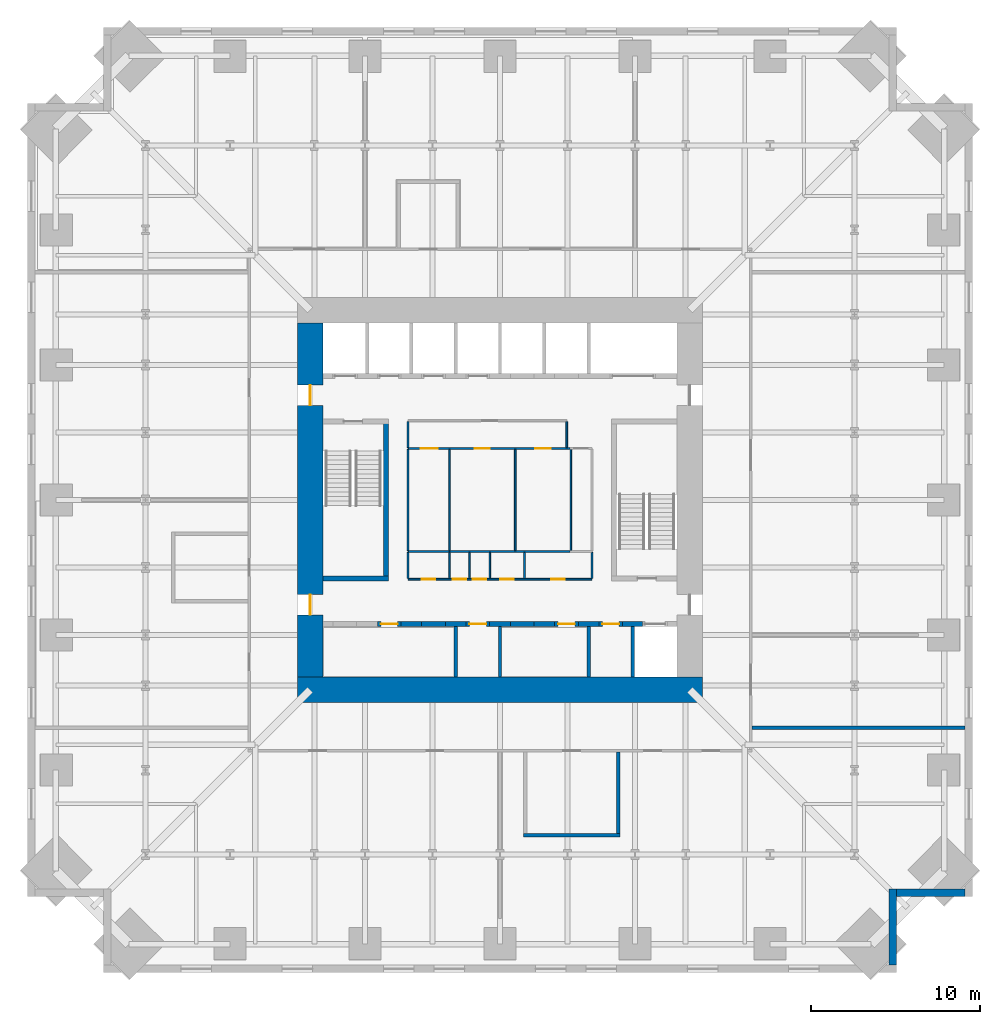
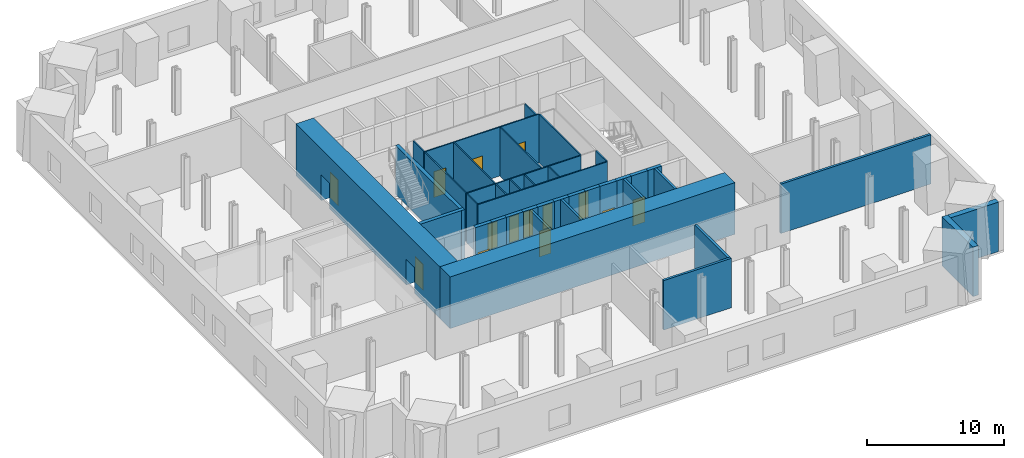
# One storey, part 4 of 8: 40 walls, 14 doors, 14 openings.
"""IFC4 building model written with IfcOpenShell, lengths in metres."""

from ifc_helpers import new_model, si_unit, direction, frame, frame_2d, origin, place, context, subcontext, project, spatial, rectangle, extrude, material, layer, layer_set, type_object, element, fill, save


model = new_model("IFC4")

# Units and contexts
model_context = context("Model", 3, precision=1e-05, world=origin(), true_north=direction((0.0, 1.0)))
body_context = subcontext(model_context, "Body", "Model", "MODEL_VIEW")
ifc_project = project(units=[si_unit("LENGTHUNIT", "METRE"), si_unit("AREAUNIT", "SQUARE_METRE"), si_unit("VOLUMEUNIT", "CUBIC_METRE"), si_unit("PLANEANGLEUNIT", "RADIAN"), si_unit("MASSUNIT", "GRAM", prefix="KILO")], contexts=[model_context])

# Site, building, storey
site_placement = place(None, origin())
site = spatial("IfcSite", under=ifc_project, at=site_placement, CompositionType="ELEMENT")
building_placement = place(site_placement, origin())
building = spatial("IfcBuilding", under=site, at=building_placement, Name="Peilmerk Tower", CompositionType="ELEMENT")
storey_placement = place(building_placement, frame((0.0, 0.0, 113.60009765625)))
storey = spatial("IfcBuildingStorey", under=building, at=storey_placement, Name="L22", CompositionType="ELEMENT", Elevation=113.60009765625)

# Walls
ifc_material_1 = material(Name="Precast concrete C45/55, board-marked finish", Category="concrete")
ifc_layer_1 = layer(ifc_material_1, 0.449951171875)
ifc_layer_set_1 = layer_set([ifc_layer_1], Name="Precast concrete C45/55, board-marked finish")
wall_type_1 = type_object("IfcWallType", Name="EW1 450 precast concrete facade wall, board-marked", PredefinedType="SOLIDWALL", material=ifc_layer_set_1)
wall_1_placement = place(storey_placement, frame((23.27490234375, -23.050048828125, 0.0), z_axis=(0.0, 0.0, 1.0), x_axis=(0.0, -1.0, 0.0)))
element("IfcWall", 1, at=wall_1_placement, inside=storey, type_object=wall_type_1, Name="Facade wall SEA L22", PredefinedType="SOLIDWALL", context=body_context, shape_type="SweptSolid", body=[
    extrude(rectangle(XDim=4.5, YDim=0.449951171875, at=frame_2d((2.25, 0.0))), origin(), (0.0, 0.0, 1.0), 4.39990234375),
])
wall_2_placement = place(storey_placement, frame((23.5, -23.27490234375, 0.0), z_axis=(0.0, 0.0, 1.0), x_axis=(1.0, 0.0, 0.0)))
element("IfcWall", 2, at=wall_2_placement, inside=storey, type_object=wall_type_1, Name="Facade wall SEB L22", PredefinedType="SOLIDWALL", context=body_context, shape_type="SweptSolid", body=[
    extrude(rectangle(XDim=4.050048828125, YDim=0.449951171875, at=frame_2d((2.02490234375, 0.0))), origin(), (0.0, 0.0, 1.0), 4.39990234375),
])
ifc_material_2 = material(Name="Calcium silicate block", Category="masonry")
ifc_layer_2 = layer(ifc_material_2, 0.199951171875)
ifc_layer_set_2 = layer_set([ifc_layer_2], Name="Calcium silicate block")
wall_type_2 = type_object("IfcWallType", Name="IW2 200 room separating wall, EI 120", PredefinedType="PARTITIONING", material=ifc_layer_set_2)
wall_3_placement = place(storey_placement, frame((27.550048828125, -13.5, 0.0), z_axis=(0.0, 0.0, 1.0), x_axis=(-1.0, 0.0, 0.0)))
element("IfcWall", 3, at=wall_3_placement, inside=storey, type_object=wall_type_2, Name="Room separating wall SE L22", PredefinedType="PARTITIONING", context=body_context, shape_type="SweptSolid", body=[
    extrude(rectangle(XDim=12.625, YDim=0.199951171875, at=frame_2d((6.3125, 0.0))), origin(), (0.0, 0.0, 1.0), 4.39990234375),
])
wall_4_placement = place(storey_placement, frame((1.39990234375, -19.85009765625, 0.0), z_axis=(0.0, 0.0, 1.0), x_axis=(1.0, 0.0, 0.0)))
element("IfcWall", 4, at=wall_4_placement, inside=storey, type_object=wall_type_2, Name="Room separating wall Operations office L22", PredefinedType="PARTITIONING", context=body_context, shape_type="SweptSolid", body=[
    extrude(rectangle(XDim=5.7001953125, YDim=0.199951171875, at=frame_2d((2.85009765625, 0.0))), origin(), (0.0, 0.0, 1.0), 4.39990234375),
])
wall_5_placement = place(storey_placement, frame((7.0, -14.925048828125, 0.0), z_axis=(0.0, 0.0, 1.0), x_axis=(0.0, -1.0, 0.0)))
element("IfcWall", 5, at=wall_5_placement, inside=storey, type_object=wall_type_2, Name="Room separating wall Operations office L22", PredefinedType="PARTITIONING", context=body_context, shape_type="SweptSolid", body=[
    extrude(rectangle(XDim=4.824951171875, YDim=0.199951171875, at=frame_2d((2.41259765625, 0.0))), origin(), (0.0, 0.0, 1.0), 4.39990234375),
])
ifc_material_3 = material(Name="Concrete C35/45", Category="concrete")
ifc_layer_3 = layer(ifc_material_3, 0.300048828125)
ifc_layer_set_3 = layer_set([ifc_layer_3], Name="Concrete C35/45")
wall_type_3 = type_object("IfcWallType", Name="IW3 300 concrete stair enclosure wall, EI 120", PredefinedType="SOLIDWALL", material=ifc_layer_set_3)
wall_6_placement = place(storey_placement, frame((-6.75, -4.800048828125, 0.0), z_axis=(0.0, 0.0, 1.0), x_axis=(0.0, 1.0, 0.0)))
element("IfcWall", 6, at=wall_6_placement, inside=storey, type_object=wall_type_3, Name="Stair 1 enclosure L22", PredefinedType="SOLIDWALL", context=body_context, shape_type="SweptSolid", body=[
    extrude(rectangle(XDim=9.60009765625, YDim=0.300048828125, at=frame_2d((4.800048828125, 0.0))), origin(), (0.0, 0.0, 1.0), 4.349853515625),
])
wall_7_placement = place(storey_placement, frame((-6.60009765625, -4.64990234375, 0.0), z_axis=(0.0, 0.0, 1.0), x_axis=(-1.0, 0.0, 0.0)))
element("IfcWall", 7, at=wall_7_placement, inside=storey, type_object=wall_type_3, Name="Stair 1 enclosure L22", PredefinedType="SOLIDWALL", context=body_context, shape_type="SweptSolid", body=[
    extrude(rectangle(XDim=3.89990234375, YDim=0.300048828125, at=frame_2d((1.949951171875, 0.0))), origin(), (0.0, 0.0, 1.0), 4.349853515625),
])

# Wall, openings, doors
ifc_material_4 = material(Name="Plasterboard on steel studs", Category="steel")
ifc_layer_4 = layer(ifc_material_4, 0.10009765625)
ifc_layer_set_4 = layer_set([ifc_layer_4], Name="Plasterboard on steel studs")
wall_type_4 = type_object("IfcWallType", Name="IW4 100 WC partition", PredefinedType="PARTITIONING", material=ifc_layer_set_4)
wall_8_placement = place(storey_placement, frame((-5.449951171875, 3.050048828125, 0.0), z_axis=(0.0, 0.0, 1.0), x_axis=(1.0, 0.0, 0.0)))
wall_8 = element("IfcWall", 8, at=wall_8_placement, inside=storey, type_object=wall_type_4, Name="WC wall L22", PredefinedType="PARTITIONING", context=body_context, shape_type="SweptSolid", body=[
    extrude(rectangle(XDim=9.599853515625, YDim=0.10009765625, at=frame_2d((4.7998046875, 0.0))), origin(), (0.0, 0.0, 1.0), 4.349853515625),
])
opening_1_placement = place(wall_8_placement, frame((0.75, 0.0, 0.0)))
opening_1 = element("IfcOpeningElement", 9, at=opening_1_placement, cuts=wall_8, Name="Opening D6", PredefinedType="OPENING", context=body_context, shape_type="SweptSolid", body=[
    extrude(rectangle(XDim=1.0, YDim=2.300048828125, at=frame_2d((0.5, 1.14990234375))), frame((0.0, 0.06005859375, 0.0), z_axis=(0.0, -1.0, 0.0), x_axis=(1.0, 0.0, 0.0)), (0.0, 0.0, 1.0), 0.1201171875),
])
opening_2_placement = place(wall_8_placement, frame((3.949951171875, 0.0, 0.0)))
opening_2 = element("IfcOpeningElement", 10, at=opening_2_placement, cuts=wall_8, Name="Opening D5", PredefinedType="OPENING", context=body_context, shape_type="SweptSolid", body=[
    extrude(rectangle(XDim=0.89990234375, YDim=2.300048828125, at=frame_2d((0.449951171875, 1.14990234375))), frame((0.0, 0.06005859375, 0.0), z_axis=(0.0, -1.0, 0.0), x_axis=(1.0, 0.0, 0.0)), (0.0, 0.0, 1.0), 0.1201171875),
])
opening_3_placement = place(wall_8_placement, frame((7.550048828125, 0.0, 0.0)))
opening_3 = element("IfcOpeningElement", 11, at=opening_3_placement, cuts=wall_8, Name="Opening D5", PredefinedType="OPENING", context=body_context, shape_type="SweptSolid", body=[
    extrude(rectangle(XDim=0.89990234375, YDim=2.300048828125, at=frame_2d((0.449951171875, 1.14990234375))), frame((0.0, 0.06005859375, 0.0), z_axis=(0.0, -1.0, 0.0), x_axis=(1.0, 0.0, 0.0)), (0.0, 0.0, 1.0), 0.1201171875),
])
ifc_material_5 = material(Name="Timber door in steel frame", Category="steel")
door_type_1 = type_object("IfcDoorType", Name="D5 900x2300 WC door", OperationType="SINGLE_SWING_LEFT", PredefinedType="DOOR", material=ifc_material_5)
door_1_placement = place(opening_2_placement, frame((0.89990234375, 0.0, 0.0), z_axis=(0.0, 0.0, 1.0), x_axis=(-1.0, 0.0, 0.0)))
door_1 = element("IfcDoor", 12, at=door_1_placement, inside=storey, type_object=door_type_1, Name="Female toilets door L22", OperationType="SINGLE_SWING_LEFT", OverallHeight=2.300048828125, OverallWidth=0.89990234375, PredefinedType="DOOR", context=body_context, shape_type="SweptSolid", body=[
    extrude(rectangle(XDim=0.89990234375, YDim=2.300048828125, at=frame_2d((0.449951171875, 1.14990234375))), frame((0.0, 0.02490234375, 0.0), z_axis=(0.0, -1.0, 0.0), x_axis=(1.0, 0.0, 0.0)), (0.0, 0.0, 1.0), 0.050048828125),
])
fill(opening_2, door_1)
door_2_placement = place(opening_3_placement, frame((0.89990234375, 0.0, 0.0), z_axis=(0.0, 0.0, 1.0), x_axis=(-1.0, 0.0, 0.0)))
door_2 = element("IfcDoor", 13, at=door_2_placement, inside=storey, type_object=door_type_1, Name="Male toilets door L22", OperationType="SINGLE_SWING_LEFT", OverallHeight=2.300048828125, OverallWidth=0.89990234375, PredefinedType="DOOR", context=body_context, shape_type="SweptSolid", body=[
    extrude(rectangle(XDim=0.89990234375, YDim=2.300048828125, at=frame_2d((0.449951171875, 1.14990234375))), frame((0.0, 0.02490234375, 0.0), z_axis=(0.0, -1.0, 0.0), x_axis=(1.0, 0.0, 0.0)), (0.0, 0.0, 1.0), 0.050048828125),
])
fill(opening_3, door_2)
door_type_2 = type_object("IfcDoorType", Name="D6 1000x2300 accessible WC door", OperationType="SLIDING_TO_LEFT", PredefinedType="DOOR", material=ifc_material_5)
door_3_placement = place(opening_1_placement, frame((1.0, 0.0, 0.0), z_axis=(0.0, 0.0, 1.0), x_axis=(-1.0, 0.0, 0.0)))
door_3 = element("IfcDoor", 14, at=door_3_placement, inside=storey, type_object=door_type_2, Name="Accessible WC door L22", OperationType="SLIDING_TO_LEFT", OverallHeight=2.300048828125, OverallWidth=1.0, PredefinedType="DOOR", context=body_context, shape_type="SweptSolid", body=[
    extrude(rectangle(XDim=1.0, YDim=2.300048828125, at=frame_2d((0.5, 1.14990234375))), frame((0.0, 0.02490234375, 0.0), z_axis=(0.0, -1.0, 0.0), x_axis=(1.0, 0.0, 0.0)), (0.0, 0.0, 1.0), 0.050048828125),
])
fill(opening_1, door_3)

# Walls
wall_9_placement = place(storey_placement, frame((4.14990234375, -3.050048828125, 0.0), z_axis=(0.0, 0.0, 1.0), x_axis=(-1.0, 0.0, 0.0)))
element("IfcWall", 15, at=wall_9_placement, inside=storey, type_object=wall_type_4, Name="WC wall L22", PredefinedType="PARTITIONING", context=body_context, shape_type="SweptSolid", body=[
    extrude(rectangle(XDim=9.599853515625, YDim=0.10009765625, at=frame_2d((4.7998046875, 0.0))), origin(), (0.0, 0.0, 1.0), 4.349853515625),
])
for number, where, z_axis, x_axis, name in (
    (16, (-5.449951171875, -3.0, 0.0), (0.0, 0.0, 1.0), (0.0, 1.0, 0.0), "WC wall L22"),
    (17, (-3.0, -3.0, 0.0), (0.0, 0.0, 1.0), (0.0, 1.0, 0.0), "WC wall L22"),
    (18, (0.89990234375, -3.0, 0.0), (0.0, 0.0, 1.0), (0.0, 1.0, 0.0), "WC wall L22"),
):
    element("IfcWall", number, at=place(storey_placement, frame(where, z_axis=z_axis, x_axis=x_axis)), inside=storey, type_object=wall_type_4, Name=name, PredefinedType="PARTITIONING", context=body_context, shape_type="SweptSolid", body=[
        extrude(rectangle(XDim=6.0, YDim=0.10009765625, at=frame_2d((3.0, 0.0))), origin(), (0.0, 0.0, 1.0), 4.349853515625),
    ])
ifc_material_6 = material(Name="Calcium silicate board on steel studs", Category="steel")
ifc_layer_5 = layer(ifc_material_6, 0.10009765625)
ifc_layer_set_5 = layer_set([ifc_layer_5], Name="Calcium silicate board on steel studs")
wall_type_5 = type_object("IfcWallType", Name="IW5 100 riser enclosure wall, EI 60", PredefinedType="PARTITIONING", material=ifc_layer_set_5)
wall_10_placement = place(storey_placement, frame((4.199951171875, -3.0, 0.0), z_axis=(0.0, 0.0, 1.0), x_axis=(0.0, 1.0, 0.0)))
element("IfcWall", 19, at=wall_10_placement, inside=storey, type_object=wall_type_5, Name="Riser wall L22", PredefinedType="PARTITIONING", context=body_context, shape_type="SweptSolid", body=[
    extrude(rectangle(XDim=6.0, YDim=0.10009765625, at=frame_2d((3.0, 0.0))), origin(), (0.0, 0.0, 1.0), 4.349853515625),
])

# Wall, openings, doors
wall_11_placement = place(storey_placement, frame((5.449951171875, -4.699951171875, 0.0), z_axis=(0.0, 0.0, 1.0), x_axis=(-1.0, 0.0, 0.0)))
wall_11 = element("IfcWall", 20, at=wall_11_placement, inside=storey, type_object=wall_type_5, Name="Riser wall L22", PredefinedType="PARTITIONING", context=body_context, shape_type="SweptSolid", body=[
    extrude(rectangle(XDim=10.89990234375, YDim=0.10009765625, at=frame_2d((5.449951171875, 0.0))), origin(), (0.0, 0.0, 1.0), 4.349853515625),
])
opening_4_placement = place(wall_11_placement, frame((9.27490234375, 0.0, 0.0)))
opening_4 = element("IfcOpeningElement", 21, at=opening_4_placement, cuts=wall_11, Name="Opening D7", PredefinedType="OPENING", context=body_context, shape_type="SweptSolid", body=[
    extrude(rectangle(XDim=0.800048828125, YDim=2.300048828125, at=frame_2d((0.39990234375, 1.14990234375))), frame((0.0, 0.06005859375, 0.0), z_axis=(0.0, -1.0, 0.0), x_axis=(1.0, 0.0, 0.0)), (0.0, 0.0, 1.0), 0.1201171875),
])
opening_5_placement = place(wall_11_placement, frame((7.449951171875, 0.0, 0.0)))
opening_5 = element("IfcOpeningElement", 22, at=opening_5_placement, cuts=wall_11, Name="Opening D7", PredefinedType="OPENING", context=body_context, shape_type="SweptSolid", body=[
    extrude(rectangle(XDim=0.800048828125, YDim=2.300048828125, at=frame_2d((0.39990234375, 1.14990234375))), frame((0.0, 0.06005859375, 0.0), z_axis=(0.0, -1.0, 0.0), x_axis=(1.0, 0.0, 0.0)), (0.0, 0.0, 1.0), 0.1201171875),
])
opening_6_placement = place(wall_11_placement, frame((6.25, 0.0, 0.0)))
opening_6 = element("IfcOpeningElement", 23, at=opening_6_placement, cuts=wall_11, Name="Opening D7", PredefinedType="OPENING", context=body_context, shape_type="SweptSolid", body=[
    extrude(rectangle(XDim=0.800048828125, YDim=2.300048828125, at=frame_2d((0.39990234375, 1.14990234375))), frame((0.0, 0.06005859375, 0.0), z_axis=(0.0, -1.0, 0.0), x_axis=(1.0, 0.0, 0.0)), (0.0, 0.0, 1.0), 0.1201171875),
])
opening_7_placement = place(wall_11_placement, frame((4.625, 0.0, 0.0)))
opening_7 = element("IfcOpeningElement", 24, at=opening_7_placement, cuts=wall_11, Name="Opening D7", PredefinedType="OPENING", context=body_context, shape_type="SweptSolid", body=[
    extrude(rectangle(XDim=0.800048828125, YDim=2.300048828125, at=frame_2d((0.39990234375, 1.14990234375))), frame((0.0, 0.06005859375, 0.0), z_axis=(0.0, -1.0, 0.0), x_axis=(1.0, 0.0, 0.0)), (0.0, 0.0, 1.0), 0.1201171875),
])
opening_8_placement = place(wall_11_placement, frame((1.60009765625, 0.0, 0.0)))
opening_8 = element("IfcOpeningElement", 25, at=opening_8_placement, cuts=wall_11, Name="Opening D7", PredefinedType="OPENING", context=body_context, shape_type="SweptSolid", body=[
    extrude(rectangle(XDim=0.800048828125, YDim=2.300048828125, at=frame_2d((0.39990234375, 1.14990234375))), frame((0.0, 0.06005859375, 0.0), z_axis=(0.0, -1.0, 0.0), x_axis=(1.0, 0.0, 0.0)), (0.0, 0.0, 1.0), 0.1201171875),
])
ifc_material_7 = material(Name="Steel door in steel frame", Category="steel")
door_type_3 = type_object("IfcDoorType", Name="D7 800x2300 riser access door, EI2 60", OperationType="SINGLE_SWING_RIGHT", PredefinedType="DOOR", material=ifc_material_7)
door_4_placement = place(opening_4_placement, frame((0.800048828125, 0.0, 0.0), z_axis=(0.0, 0.0, 1.0), x_axis=(-1.0, 0.0, 0.0)))
door_4 = element("IfcDoor", 26, at=door_4_placement, inside=storey, type_object=door_type_3, Name="Cleaner's cupboard door L22", OperationType="SINGLE_SWING_RIGHT", OverallHeight=2.300048828125, OverallWidth=0.800048828125, PredefinedType="DOOR", context=body_context, shape_type="SweptSolid", body=[
    extrude(rectangle(XDim=0.800048828125, YDim=2.300048828125, at=frame_2d((0.39990234375, 1.14990234375))), frame((0.0, 0.02490234375, 0.0), z_axis=(0.0, -1.0, 0.0), x_axis=(1.0, 0.0, 0.0)), (0.0, 0.0, 1.0), 0.050048828125),
])
fill(opening_4, door_4)
door_5_placement = place(opening_5_placement, frame((0.800048828125, 0.0, 0.0), z_axis=(0.0, 0.0, 1.0), x_axis=(-1.0, 0.0, 0.0)))
door_5 = element("IfcDoor", 27, at=door_5_placement, inside=storey, type_object=door_type_3, Name="Electrical riser door L22", OperationType="SINGLE_SWING_RIGHT", OverallHeight=2.300048828125, OverallWidth=0.800048828125, PredefinedType="DOOR", context=body_context, shape_type="SweptSolid", body=[
    extrude(rectangle(XDim=0.800048828125, YDim=2.300048828125, at=frame_2d((0.39990234375, 1.14990234375))), frame((0.0, 0.02490234375, 0.0), z_axis=(0.0, -1.0, 0.0), x_axis=(1.0, 0.0, 0.0)), (0.0, 0.0, 1.0), 0.050048828125),
])
fill(opening_5, door_5)
door_6_placement = place(opening_6_placement, frame((0.800048828125, 0.0, 0.0), z_axis=(0.0, 0.0, 1.0), x_axis=(-1.0, 0.0, 0.0)))
door_6 = element("IfcDoor", 28, at=door_6_placement, inside=storey, type_object=door_type_3, Name="Data riser door L22", OperationType="SINGLE_SWING_RIGHT", OverallHeight=2.300048828125, OverallWidth=0.800048828125, PredefinedType="DOOR", context=body_context, shape_type="SweptSolid", body=[
    extrude(rectangle(XDim=0.800048828125, YDim=2.300048828125, at=frame_2d((0.39990234375, 1.14990234375))), frame((0.0, 0.02490234375, 0.0), z_axis=(0.0, -1.0, 0.0), x_axis=(1.0, 0.0, 0.0)), (0.0, 0.0, 1.0), 0.050048828125),
])
fill(opening_6, door_6)
door_7_placement = place(opening_7_placement, frame((0.800048828125, 0.0, 0.0), z_axis=(0.0, 0.0, 1.0), x_axis=(-1.0, 0.0, 0.0)))
door_7 = element("IfcDoor", 29, at=door_7_placement, inside=storey, type_object=door_type_3, Name="Electrical room door L22", OperationType="SINGLE_SWING_RIGHT", OverallHeight=2.300048828125, OverallWidth=0.800048828125, PredefinedType="DOOR", context=body_context, shape_type="SweptSolid", body=[
    extrude(rectangle(XDim=0.800048828125, YDim=2.300048828125, at=frame_2d((0.39990234375, 1.14990234375))), frame((0.0, 0.02490234375, 0.0), z_axis=(0.0, -1.0, 0.0), x_axis=(1.0, 0.0, 0.0)), (0.0, 0.0, 1.0), 0.050048828125),
])
fill(opening_7, door_7)
door_8_placement = place(opening_8_placement, frame((0.800048828125, 0.0, 0.0), z_axis=(0.0, 0.0, 1.0), x_axis=(-1.0, 0.0, 0.0)))
door_8 = element("IfcDoor", 30, at=door_8_placement, inside=storey, type_object=door_type_3, Name="Comms room door L22", OperationType="SINGLE_SWING_RIGHT", OverallHeight=2.300048828125, OverallWidth=0.800048828125, PredefinedType="DOOR", context=body_context, shape_type="SweptSolid", body=[
    extrude(rectangle(XDim=0.800048828125, YDim=2.300048828125, at=frame_2d((0.39990234375, 1.14990234375))), frame((0.0, 0.02490234375, 0.0), z_axis=(0.0, -1.0, 0.0), x_axis=(1.0, 0.0, 0.0)), (0.0, 0.0, 1.0), 0.050048828125),
])
fill(opening_8, door_8)

# Walls
for number, where, z_axis, x_axis, name in (
    (31, (-5.449951171875, -3.10009765625, 0.0), (0.0, 0.0, 1.0), (0.0, -1.0, 0.0), "Riser wall L22"),
    (32, (5.449951171875, -3.10009765625, 0.0), (0.0, 0.0, 1.0), (0.0, -1.0, 0.0), "Riser wall L22"),
    (33, (-3.0, -3.10009765625, 0.0), (0.0, 0.0, 1.0), (0.0, -1.0, 0.0), "Riser wall L22"),
    (34, (-1.800048828125, -3.10009765625, 0.0), (0.0, 0.0, 1.0), (0.0, -1.0, 0.0), "Riser wall L22"),
    (35, (-0.60009765625, -3.10009765625, 0.0), (0.0, 0.0, 1.0), (0.0, -1.0, 0.0), "Riser wall L22"),
    (36, (1.449951171875, -3.10009765625, 0.0), (0.0, 0.0, 1.0), (0.0, -1.0, 0.0), "Riser wall L22"),
):
    element("IfcWall", number, at=place(storey_placement, frame(where, z_axis=z_axis, x_axis=x_axis)), inside=storey, type_object=wall_type_5, Name=name, PredefinedType="PARTITIONING", context=body_context, shape_type="SweptSolid", body=[
        extrude(rectangle(XDim=1.5498046875, YDim=0.10009765625, at=frame_2d((0.77490234375, 0.0))), origin(), (0.0, 0.0, 1.0), 4.349853515625),
    ])
ifc_material_8 = material(Name="Fire-resisting plasterboard on steel studs", Category="steel")
ifc_layer_6 = layer(ifc_material_8, 0.10009765625)
ifc_layer_set_6 = layer_set([ifc_layer_6], Name="Fire-resisting plasterboard on steel studs")
wall_type_6 = type_object("IfcWallType", Name="IW9 100 WC lobby wall, EI 30", PredefinedType="PARTITIONING", material=ifc_layer_set_6)
for number, where, z_axis, x_axis, name in (
    (37, (-5.449951171875, 3.10009765625, 0.0), (0.0, 0.0, 1.0), (0.0, 1.0, 0.0), "WC lobby wall L22"),
    (38, (3.949951171875, 3.10009765625, 0.0), (0.0, 0.0, 1.0), (0.0, 1.0, 0.0), "WC lobby wall L22"),
):
    element("IfcWall", number, at=place(storey_placement, frame(where, z_axis=z_axis, x_axis=x_axis)), inside=storey, type_object=wall_type_6, Name=name, PredefinedType="PARTITIONING", context=body_context, shape_type="SweptSolid", body=[
        extrude(rectangle(XDim=1.5498046875, YDim=0.10009765625, at=frame_2d((0.77490234375, 0.0))), origin(), (0.0, 0.0, 1.0), 4.349853515625),
    ])
ifc_layer_7 = layer(ifc_material_2, 0.199951171875)
ifc_layer_set_7 = layer_set([ifc_layer_7], Name="Calcium silicate block")
wall_type_7 = type_object("IfcWallType", Name="SH1 200 shaft dividing wall, EI 120", PredefinedType="PARTITIONING", material=ifc_layer_set_7)
for number, where, z_axis, x_axis, name in (
    (39, (-2.625, -10.5, 0.0), (0.0, 0.0, 1.0), (0.0, 1.0, 0.0), "Shaft wall S C2 L22"),
    (40, (0.0, -10.5, 0.0), (0.0, 0.0, 1.0), (0.0, 1.0, 0.0), "Shaft wall S C1 L22"),
    (41, (5.25, -10.5, 0.0), (0.0, 0.0, 1.0), (0.0, 1.0, 0.0), "Shaft wall S B2 L22"),
    (42, (7.875, -10.5, 0.0), (0.0, 0.0, 1.0), (0.0, 1.0, 0.0), "Shaft wall S B1 L22"),
):
    element("IfcWall", number, at=place(storey_placement, frame(where, z_axis=z_axis, x_axis=x_axis)), inside=storey, type_object=wall_type_7, Name=name, PredefinedType="PARTITIONING", context=body_context, shape_type="SweptSolid", body=[
        extrude(rectangle(XDim=3.0, YDim=0.199951171875, at=frame_2d((1.5, 0.0))), origin(), (0.0, 0.0, 1.0), 4.599853515625),
    ])

# Wall, opening, door
ifc_layer_8 = layer(ifc_material_2, 0.300048828125)
ifc_layer_set_8 = layer_set([ifc_layer_8], Name="Calcium silicate block")
wall_type_8 = type_object("IfcWallType", Name="SH2 300 lift landing door panel, EI 120", PredefinedType="PARTITIONING", material=ifc_layer_set_8)
wall_12_placement = place(storey_placement, frame((-7.262451171875, -7.35009765625, 0.0), z_axis=(0.0, 0.0, 1.0), x_axis=(1.0, 0.0, 0.0)))
wall_12 = element("IfcWall", 43, at=wall_12_placement, inside=storey, type_object=wall_type_8, Name="Lift door panel S C3 L22", PredefinedType="PARTITIONING", context=body_context, shape_type="SweptSolid", body=[
    extrude(rectangle(XDim=1.39990234375, YDim=0.300048828125, at=frame_2d((0.699951171875, 0.0))), origin(), (0.0, 0.0, 1.0), 4.599853515625),
])
opening_9_placement = place(wall_12_placement, frame((0.199951171875, 0.0, 0.0)))
opening_9 = element("IfcOpeningElement", 44, at=opening_9_placement, cuts=wall_12, Name="Opening D10", PredefinedType="OPENING", context=body_context, shape_type="SweptSolid", body=[
    extrude(rectangle(XDim=1.0, YDim=2.300048828125, at=frame_2d((0.5, 1.14990234375))), frame((0.0, 0.159912109375, 0.0), z_axis=(0.0, -1.0, 0.0), x_axis=(1.0, 0.0, 0.0)), (0.0, 0.0, 1.0), 0.320068359375),
])
door_type_4 = type_object("IfcDoorType", Name="D10 1000x2300 core room door, EI2 60", OperationType="SINGLE_SWING_RIGHT", PredefinedType="DOOR", material=ifc_material_7)
door_9_placement = place(opening_9_placement, frame((1.0, 0.0, 0.0), z_axis=(0.0, 0.0, 1.0), x_axis=(-1.0, 0.0, 0.0)))
door_9 = element("IfcDoor", 45, at=door_9_placement, inside=storey, type_object=door_type_4, Name="Door Back-of-house office L22", OperationType="SINGLE_SWING_RIGHT", OverallHeight=2.300048828125, OverallWidth=1.0, PredefinedType="DOOR", context=body_context, shape_type="SweptSolid", body=[
    extrude(rectangle(XDim=1.0, YDim=2.300048828125, at=frame_2d((0.5, 1.14990234375))), frame((0.0, 0.02490234375, 0.0), z_axis=(0.0, -1.0, 0.0), x_axis=(1.0, 0.0, 0.0)), (0.0, 0.0, 1.0), 0.050048828125),
])
fill(opening_9, door_9)

# Wall
wall_13_placement = place(storey_placement, frame((-4.637451171875, -7.35009765625, 0.0), z_axis=(0.0, 0.0, 1.0), x_axis=(1.0, 0.0, 0.0)))
element("IfcWall", 46, at=wall_13_placement, inside=storey, type_object=wall_type_8, Name="Lift door panel S C2 L22", PredefinedType="PARTITIONING", context=body_context, shape_type="SweptSolid", body=[
    extrude(rectangle(XDim=1.39990234375, YDim=0.300048828125, at=frame_2d((0.699951171875, 0.0))), origin(), (0.0, 0.0, 1.0), 4.599853515625),
])

# Wall, opening, door
wall_14_placement = place(storey_placement, frame((-2.012451171875, -7.35009765625, 0.0), z_axis=(0.0, 0.0, 1.0), x_axis=(1.0, 0.0, 0.0)))
wall_14 = element("IfcWall", 47, at=wall_14_placement, inside=storey, type_object=wall_type_8, Name="Lift door panel S C1 L22", PredefinedType="PARTITIONING", context=body_context, shape_type="SweptSolid", body=[
    extrude(rectangle(XDim=1.39990234375, YDim=0.300048828125, at=frame_2d((0.699951171875, 0.0))), origin(), (0.0, 0.0, 1.0), 4.599853515625),
])
opening_10_placement = place(wall_14_placement, frame((0.199951171875, 0.0, 0.0)))
opening_10 = element("IfcOpeningElement", 48, at=opening_10_placement, cuts=wall_14, Name="Opening D10", PredefinedType="OPENING", context=body_context, shape_type="SweptSolid", body=[
    extrude(rectangle(XDim=1.0, YDim=2.300048828125, at=frame_2d((0.5, 1.14990234375))), frame((0.0, 0.159912109375, 0.0), z_axis=(0.0, -1.0, 0.0), x_axis=(1.0, 0.0, 0.0)), (0.0, 0.0, 1.0), 0.320068359375),
])
door_10_placement = place(opening_10_placement, frame((1.0, 0.0, 0.0), z_axis=(0.0, 0.0, 1.0), x_axis=(-1.0, 0.0, 0.0)))
door_10 = element("IfcDoor", 49, at=door_10_placement, inside=storey, type_object=door_type_4, Name="Door Water meter room L22", OperationType="SINGLE_SWING_RIGHT", OverallHeight=2.300048828125, OverallWidth=1.0, PredefinedType="DOOR", context=body_context, shape_type="SweptSolid", body=[
    extrude(rectangle(XDim=1.0, YDim=2.300048828125, at=frame_2d((0.5, 1.14990234375))), frame((0.0, 0.02490234375, 0.0), z_axis=(0.0, -1.0, 0.0), x_axis=(1.0, 0.0, 0.0)), (0.0, 0.0, 1.0), 0.050048828125),
])
fill(opening_10, door_10)

# Wall
wall_15_placement = place(storey_placement, frame((0.612548828125, -7.35009765625, 0.0), z_axis=(0.0, 0.0, 1.0), x_axis=(1.0, 0.0, 0.0)))
element("IfcWall", 50, at=wall_15_placement, inside=storey, type_object=wall_type_8, Name="Lift door panel S B3 L22", PredefinedType="PARTITIONING", context=body_context, shape_type="SweptSolid", body=[
    extrude(rectangle(XDim=1.39990234375, YDim=0.300048828125, at=frame_2d((0.699951171875, 0.0))), origin(), (0.0, 0.0, 1.0), 4.599853515625),
])

# Wall, opening, door
wall_16_placement = place(storey_placement, frame((3.237548828125, -7.35009765625, 0.0), z_axis=(0.0, 0.0, 1.0), x_axis=(1.0, 0.0, 0.0)))
wall_16 = element("IfcWall", 51, at=wall_16_placement, inside=storey, type_object=wall_type_8, Name="Lift door panel S B2 L22", PredefinedType="PARTITIONING", context=body_context, shape_type="SweptSolid", body=[
    extrude(rectangle(XDim=1.39990234375, YDim=0.300048828125, at=frame_2d((0.699951171875, 0.0))), origin(), (0.0, 0.0, 1.0), 4.599853515625),
])
opening_11_placement = place(wall_16_placement, frame((0.199951171875, 0.0, 0.0)))
opening_11 = element("IfcOpeningElement", 52, at=opening_11_placement, cuts=wall_16, Name="Opening D10", PredefinedType="OPENING", context=body_context, shape_type="SweptSolid", body=[
    extrude(rectangle(XDim=1.0, YDim=2.300048828125, at=frame_2d((0.5, 1.14990234375))), frame((0.0, 0.159912109375, 0.0), z_axis=(0.0, -1.0, 0.0), x_axis=(1.0, 0.0, 0.0)), (0.0, 0.0, 1.0), 0.320068359375),
])
door_11_placement = place(opening_11_placement, frame((1.0, 0.0, 0.0), z_axis=(0.0, 0.0, 1.0), x_axis=(-1.0, 0.0, 0.0)))
door_11 = element("IfcDoor", 53, at=door_11_placement, inside=storey, type_object=door_type_4, Name="Door Pantry L22", OperationType="SINGLE_SWING_RIGHT", OverallHeight=2.300048828125, OverallWidth=1.0, PredefinedType="DOOR", context=body_context, shape_type="SweptSolid", body=[
    extrude(rectangle(XDim=1.0, YDim=2.300048828125, at=frame_2d((0.5, 1.14990234375))), frame((0.0, 0.02490234375, 0.0), z_axis=(0.0, -1.0, 0.0), x_axis=(1.0, 0.0, 0.0)), (0.0, 0.0, 1.0), 0.050048828125),
])
fill(opening_11, door_11)

wall_17_placement = place(storey_placement, frame((5.862548828125, -7.35009765625, 0.0), z_axis=(0.0, 0.0, 1.0), x_axis=(1.0, 0.0, 0.0)))
wall_17 = element("IfcWall", 54, at=wall_17_placement, inside=storey, type_object=wall_type_8, Name="Lift door panel S B1 L22", PredefinedType="PARTITIONING", context=body_context, shape_type="SweptSolid", body=[
    extrude(rectangle(XDim=1.39990234375, YDim=0.300048828125, at=frame_2d((0.699951171875, 0.0))), origin(), (0.0, 0.0, 1.0), 4.599853515625),
])
opening_12_placement = place(wall_17_placement, frame((0.199951171875, 0.0, 0.0)))
opening_12 = element("IfcOpeningElement", 55, at=opening_12_placement, cuts=wall_17, Name="Opening D10", PredefinedType="OPENING", context=body_context, shape_type="SweptSolid", body=[
    extrude(rectangle(XDim=1.0, YDim=2.300048828125, at=frame_2d((0.5, 1.14990234375))), frame((0.0, 0.159912109375, 0.0), z_axis=(0.0, -1.0, 0.0), x_axis=(1.0, 0.0, 0.0)), (0.0, 0.0, 1.0), 0.320068359375),
])
door_12_placement = place(opening_12_placement, frame((1.0, 0.0, 0.0), z_axis=(0.0, 0.0, 1.0), x_axis=(-1.0, 0.0, 0.0)))
door_12 = element("IfcDoor", 56, at=door_12_placement, inside=storey, type_object=door_type_4, Name="Door Staff WC L22", OperationType="SINGLE_SWING_RIGHT", OverallHeight=2.300048828125, OverallWidth=1.0, PredefinedType="DOOR", context=body_context, shape_type="SweptSolid", body=[
    extrude(rectangle(XDim=1.0, YDim=2.300048828125, at=frame_2d((0.5, 1.14990234375))), frame((0.0, 0.02490234375, 0.0), z_axis=(0.0, -1.0, 0.0), x_axis=(1.0, 0.0, 0.0)), (0.0, 0.0, 1.0), 0.050048828125),
])
fill(opening_12, door_12)

# Wall
ifc_material_9 = material(Name="Concrete C55/67", Category="concrete")
ifc_layer_9 = layer(ifc_material_9, 1.5)
ifc_layer_set_9 = layer_set([ifc_layer_9], Name="Concrete C55/67")
wall_type_9 = type_object("IfcWallType", Name="SW1 1500 core wall", PredefinedType="SHEAR", material=ifc_layer_set_9)
wall_18_placement = place(storey_placement, frame((12.0, -11.25, 0.0), z_axis=(0.0, 0.0, 1.0), x_axis=(-1.0, 0.0, 0.0)))
element("IfcWall", 57, at=wall_18_placement, inside=storey, type_object=wall_type_9, Name="Core wall S L22", PredefinedType="SHEAR", context=body_context, shape_type="SweptSolid", body=[
    extrude(rectangle(XDim=24.0, YDim=1.5, at=frame_2d((12.0, 0.0))), origin(), (0.0, 0.0, 1.0), 4.599853515625),
])

# Wall, openings, doors
wall_19_placement = place(storey_placement, frame((-11.25, -10.5, 0.0), z_axis=(0.0, 0.0, 1.0), x_axis=(0.0, 1.0, 0.0)))
wall_19 = element("IfcWall", 58, at=wall_19_placement, inside=storey, type_object=wall_type_9, Name="Core wall W L22", PredefinedType="SHEAR", context=body_context, shape_type="SweptSolid", body=[
    extrude(rectangle(XDim=21.0, YDim=1.5, at=frame_2d((10.5, 0.0))), origin(), (0.0, 0.0, 1.0), 4.599853515625),
])
opening_13_placement = place(wall_19_placement, frame((16.10009765625, 0.0, 0.0)))
opening_13 = element("IfcOpeningElement", 59, at=opening_13_placement, cuts=wall_19, Name="Opening D3", PredefinedType="OPENING", context=body_context, shape_type="SweptSolid", body=[
    extrude(rectangle(XDim=1.199951171875, YDim=2.300048828125, at=frame_2d((0.60009765625, 1.14990234375))), frame((0.0, 0.760009765625, 0.0), z_axis=(0.0, -1.0, 0.0), x_axis=(1.0, 0.0, 0.0)), (0.0, 0.0, 1.0), 1.52001953125),
])
opening_14_placement = place(wall_19_placement, frame((3.699951171875, 0.0, 0.0)))
opening_14 = element("IfcOpeningElement", 60, at=opening_14_placement, cuts=wall_19, Name="Opening D3", PredefinedType="OPENING", context=body_context, shape_type="SweptSolid", body=[
    extrude(rectangle(XDim=1.199951171875, YDim=2.300048828125, at=frame_2d((0.60009765625, 1.14990234375))), frame((0.0, 0.760009765625, 0.0), z_axis=(0.0, -1.0, 0.0), x_axis=(1.0, 0.0, 0.0)), (0.0, 0.0, 1.0), 1.52001953125),
])
door_type_5 = type_object("IfcDoorType", Name="D3 1200x2300 core door, EI2 60", OperationType="SINGLE_SWING_LEFT", PredefinedType="DOOR", material=ifc_material_7)
door_13_placement = place(opening_13_placement, frame((1.199951171875, 0.0, 0.0), z_axis=(0.0, 0.0, 1.0), x_axis=(-1.0, 0.0, 0.0)))
door_13 = element("IfcDoor", 61, at=door_13_placement, inside=storey, type_object=door_type_5, Name="Core door L22", OperationType="SINGLE_SWING_LEFT", OverallHeight=2.300048828125, OverallWidth=1.199951171875, PredefinedType="DOOR", context=body_context, shape_type="SweptSolid", body=[
    extrude(rectangle(XDim=1.199951171875, YDim=2.300048828125, at=frame_2d((0.60009765625, 1.14990234375))), frame((0.0, 0.02490234375, 0.0), z_axis=(0.0, -1.0, 0.0), x_axis=(1.0, 0.0, 0.0)), (0.0, 0.0, 1.0), 0.050048828125),
])
fill(opening_13, door_13)
door_14_placement = place(opening_14_placement, frame((1.199951171875, 0.0, 0.0), z_axis=(0.0, 0.0, 1.0), x_axis=(-1.0, 0.0, 0.0)))
door_14 = element("IfcDoor", 62, at=door_14_placement, inside=storey, type_object=door_type_5, Name="Core door L22", OperationType="SINGLE_SWING_LEFT", OverallHeight=2.300048828125, OverallWidth=1.199951171875, PredefinedType="DOOR", context=body_context, shape_type="SweptSolid", body=[
    extrude(rectangle(XDim=1.199951171875, YDim=2.300048828125, at=frame_2d((0.60009765625, 1.14990234375))), frame((0.0, 0.02490234375, 0.0), z_axis=(0.0, -1.0, 0.0), x_axis=(1.0, 0.0, 0.0)), (0.0, 0.0, 1.0), 0.050048828125),
])
fill(opening_14, door_14)

# Walls
ifc_layer_10 = layer(ifc_material_9, 0.300048828125)
ifc_layer_set_10 = layer_set([ifc_layer_10], Name="Concrete C55/67")
wall_type_10 = type_object("IfcWallType", Name="SW2 300 lift bank pier", PredefinedType="SHEAR", material=ifc_layer_set_10)
for number, where, z_axis, x_axis, name in (
    (63, (-5.862548828125, -7.35009765625, 0.0), (0.0, 0.0, 1.0), (1.0, 0.0, 0.0), "Lift bank pier S L22"),
    (64, (-3.237548828125, -7.35009765625, 0.0), (0.0, 0.0, 1.0), (1.0, 0.0, 0.0), "Lift bank pier S L22"),
    (65, (-0.612548828125, -7.35009765625, 0.0), (0.0, 0.0, 1.0), (1.0, 0.0, 0.0), "Lift bank pier S L22"),
    (66, (2.012451171875, -7.35009765625, 0.0), (0.0, 0.0, 1.0), (1.0, 0.0, 0.0), "Lift bank pier S L22"),
    (67, (4.637451171875, -7.35009765625, 0.0), (0.0, 0.0, 1.0), (1.0, 0.0, 0.0), "Lift bank pier S L22"),
):
    element("IfcWall", number, at=place(storey_placement, frame(where, z_axis=z_axis, x_axis=x_axis)), inside=storey, type_object=wall_type_10, Name=name, PredefinedType="SHEAR", context=body_context, shape_type="SweptSolid", body=[
        extrude(rectangle(XDim=1.22509765625, YDim=0.300048828125, at=frame_2d((0.612548828125, 0.0))), origin(), (0.0, 0.0, 1.0), 4.599853515625),
    ])
wall_20_placement = place(storey_placement, frame((7.262451171875, -7.35009765625, 0.0), z_axis=(0.0, 0.0, 1.0), x_axis=(1.0, 0.0, 0.0)))
element("IfcWall", 68, at=wall_20_placement, inside=storey, type_object=wall_type_10, Name="Lift bank pier S L22", PredefinedType="SHEAR", context=body_context, shape_type="SweptSolid", body=[
    extrude(rectangle(XDim=1.175048828125, YDim=0.300048828125, at=frame_2d((0.58740234375, 0.0))), origin(), (0.0, 0.0, 1.0), 4.599853515625),
])

save(model, "model.ifc")
